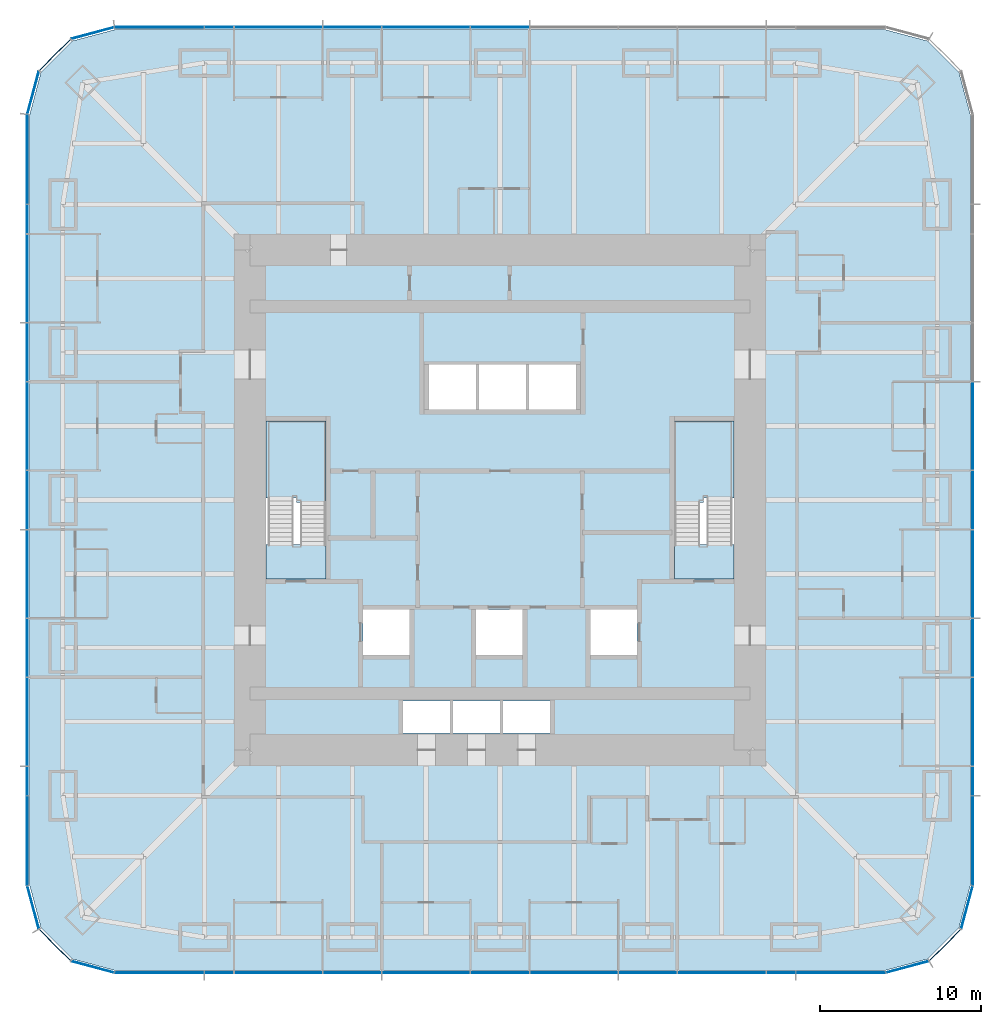
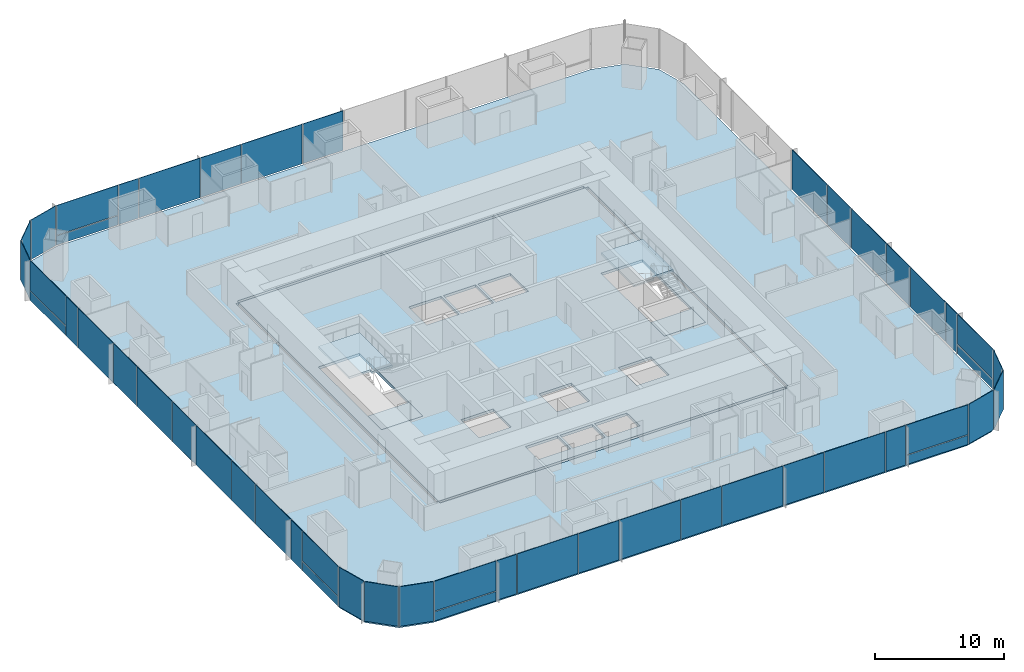
# One storey, part 7 of 13: 50 plates, 6 slabs, 9 elements without a shape of their own.
"""IFC4 building model written with IfcOpenShell, lengths in metres."""

from ifc_helpers import new_model, si_unit, direction, frame, origin, origin_2d, place, context, subcontext, project, spatial, polyline, rectangle, outline, extrude, material, layer, layer_set, type_object, element, aggregate, save


model = new_model("IFC4")

# Units and contexts
model_context = context("Model", 3, precision=1e-05, world=origin(), true_north=direction((0.0, 1.0)))
body_context = subcontext(model_context, "Body", "Model", "MODEL_VIEW")
ifc_project = project(units=[si_unit("LENGTHUNIT", "METRE"), si_unit("AREAUNIT", "SQUARE_METRE"), si_unit("VOLUMEUNIT", "CUBIC_METRE"), si_unit("PLANEANGLEUNIT", "RADIAN"), si_unit("MASSUNIT", "GRAM", prefix="KILO")], contexts=[model_context])

# Site, building, storey
site_placement = place(None, origin())
site = spatial("IfcSite", under=ifc_project, at=site_placement, CompositionType="ELEMENT")
building_placement = place(site_placement, origin())
building = spatial("IfcBuilding", under=site, at=building_placement, Name="Khuree Lantern Residences", CompositionType="ELEMENT")
storey_placement = place(building_placement, frame((0.0, 0.0, 118.5)))
storey = spatial("IfcBuildingStorey", under=building, at=storey_placement, Name="L29", CompositionType="ELEMENT", Elevation=118.5)

# Slab
ifc_material_1 = material(Name="Concrete C35/45", Category="concrete")
ifc_layer_1 = layer(ifc_material_1, 0.25)
ifc_layer_set_1 = layer_set([ifc_layer_1], Name="CFL250 CORE FLOOR SLAB 250")
slab_type_1 = type_object("IfcSlabType", Name="CFL250 CORE FLOOR SLAB 250", PredefinedType="FLOOR", material=ifc_layer_set_1)
slab_1_placement = place(storey_placement, frame((0.0, 0.0, -0.25)))
element("IfcSlab", 1, at=slab_1_placement, inside=storey, type_object=slab_type_1, Name="Core floor L29", PredefinedType="FLOOR", context=body_context, shape_type="SweptSolid", body=[
    extrude(outline(polyline([(-15.5, -15.5), (-15.5, 15.5), (15.5, 15.5), (15.5, -15.5), (-15.5, -15.5)]), holes=[polyline([(10.800048828125, 4.89990234375), (10.800048828125, -4.89990234375), (14.5, -4.89990234375), (14.5, 4.89990234375), (10.800048828125, 4.89990234375)]), polyline([(8.5, -6.800048828125), (5.60009765625, -6.800048828125), (5.60009765625, -9.60009765625), (8.5, -9.60009765625), (8.5, -6.800048828125)]), polyline([(4.699951171875, 8.39990234375), (1.800048828125, 8.39990234375), (1.800048828125, 5.60009765625), (4.699951171875, 5.60009765625), (4.699951171875, 8.39990234375)]), polyline([(3.10009765625, -12.449951171875), (0.199951171875, -12.449951171875), (0.199951171875, -14.449951171875), (3.10009765625, -14.449951171875), (3.10009765625, -12.449951171875)]), polyline([(1.60009765625, 8.39990234375), (-1.300048828125, 8.39990234375), (-1.300048828125, 5.60009765625), (1.60009765625, 5.60009765625), (1.60009765625, 8.39990234375)]), polyline([(1.39990234375, -6.800048828125), (-1.5, -6.800048828125), (-1.5, -9.60009765625), (1.39990234375, -9.60009765625), (1.39990234375, -6.800048828125)]), polyline([(-2.89990234375, -12.449951171875), (-2.89990234375, -14.449951171875), (0.0, -14.449951171875), (0.0, -12.449951171875), (-2.89990234375, -12.449951171875)]), polyline([(-4.39990234375, 8.39990234375), (-4.39990234375, 5.60009765625), (-1.5, 5.60009765625), (-1.5, 8.39990234375), (-4.39990234375, 8.39990234375)]), polyline([(-6.0, -12.449951171875), (-6.0, -14.449951171875), (-3.10009765625, -14.449951171875), (-3.10009765625, -12.449951171875), (-6.0, -12.449951171875)]), polyline([(-8.5, -6.800048828125), (-8.5, -9.60009765625), (-5.60009765625, -9.60009765625), (-5.60009765625, -6.800048828125), (-8.5, -6.800048828125)]), polyline([(-10.800048828125, 4.89990234375), (-14.5, 4.89990234375), (-14.5, -4.89990234375), (-10.800048828125, -4.89990234375), (-10.800048828125, 4.89990234375)])]), origin(), (0.0, 0.0, 1.0), 0.25),
])

# Curtain wall, plates
ifc_material_2 = material(Name="Bronze anodised aluminium", Category="aluminium")
curtain_wall_type_1 = type_object("IfcCurtainWallType", Name="CW-T2 TOWER CORNER CURTAIN WALL", PredefinedType="USERDEFINED", material=ifc_material_2)
curtain_wall_1_placement = place(storey_placement, origin())
curtain_wall_1 = element("IfcCurtainWall", 2, at=curtain_wall_1_placement, inside=storey, type_object=curtain_wall_type_1, Name="L29 SOUTH-EAST CORNER CURTAIN WALL", ObjectType="Faceted corner curtain wall", PredefinedType="USERDEFINED")
ifc_material_3 = material(Name="Bronze tinted triple glazing", Category="glass")
ifc_layer_2 = layer(ifc_material_3, 0.048095703125)
ifc_layer_set_2 = layer_set([ifc_layer_2], Name="FACET PANEL P4")
plate_type_1 = type_object("IfcPlateType", Name="FACET PANEL P4", PredefinedType="CURTAIN_PANEL", material=ifc_layer_set_2)
plate_1_placement = place(storey_placement, frame((25.248046875, -28.938720703125, 0.0), z_axis=(0.0, 0.0, 1.0), x_axis=(0.965925810153, 0.258819105321, 0.0)))
plate_1 = element("IfcPlate", 3, at=plate_1_placement, type_object=plate_type_1, Name="L29 SOUTH-EAST CORNER PANEL 1.1", PredefinedType="CURTAIN_PANEL", context=body_context, shape_type="SweptSolid", body=[
    extrude(rectangle(XDim=2.71923828125, YDim=0.048095703125, at=origin_2d()), origin(), (0.0, 0.0, 1.0), 3.75),
])
plate_2_placement = place(storey_placement, frame((27.58837890625, -27.58837890625, 0.0), z_axis=(0.0, 0.0, 1.0), x_axis=(0.707106781187, 0.707106781187, 0.0)))
plate_2 = element("IfcPlate", 4, at=plate_2_placement, type_object=plate_type_1, Name="L29 SOUTH-EAST CORNER PANEL 2.1", PredefinedType="CURTAIN_PANEL", context=body_context, shape_type="SweptSolid", body=[
    extrude(rectangle(XDim=2.715087890625, YDim=0.048095703125, at=origin_2d()), origin(), (0.0, 0.0, 1.0), 3.75),
])
plate_3_placement = place(storey_placement, frame((28.938720703125, -25.248046875, 0.0), z_axis=(0.0, 0.0, 1.0), x_axis=(0.258819105321, 0.965925810153, 0.0)))
plate_3 = element("IfcPlate", 5, at=plate_3_placement, type_object=plate_type_1, Name="L29 SOUTH-EAST CORNER PANEL 3.1", PredefinedType="CURTAIN_PANEL", context=body_context, shape_type="SweptSolid", body=[
    extrude(rectangle(XDim=2.71923828125, YDim=0.048095703125, at=origin_2d()), origin(), (0.0, 0.0, 1.0), 3.75),
])
aggregate(curtain_wall_1, [plate_1, plate_2, plate_3])

curtain_wall_2_placement = place(storey_placement, origin())
curtain_wall_2 = element("IfcCurtainWall", 6, at=curtain_wall_2_placement, inside=storey, type_object=curtain_wall_type_1, Name="L29 NORTH-WEST CORNER CURTAIN WALL", ObjectType="Faceted corner curtain wall", PredefinedType="USERDEFINED")
plate_4_placement = place(storey_placement, frame((-25.248046875, 28.938720703125, 0.0), z_axis=(0.0, 0.0, 1.0), x_axis=(-0.965925810153, -0.258819105321, 0.0)))
plate_4 = element("IfcPlate", 7, at=plate_4_placement, type_object=plate_type_1, Name="L29 NORTH-WEST CORNER PANEL 29.1", PredefinedType="CURTAIN_PANEL", context=body_context, shape_type="SweptSolid", body=[
    extrude(rectangle(XDim=2.71923828125, YDim=0.048095703125, at=origin_2d()), origin(), (0.0, 0.0, 1.0), 3.75),
])
plate_5_placement = place(storey_placement, frame((-27.58837890625, 27.58837890625, 0.0), z_axis=(0.0, 0.0, 1.0), x_axis=(-0.707106781187, -0.707106781187, 0.0)))
plate_5 = element("IfcPlate", 8, at=plate_5_placement, type_object=plate_type_1, Name="L29 NORTH-WEST CORNER PANEL 30.1", PredefinedType="CURTAIN_PANEL", context=body_context, shape_type="SweptSolid", body=[
    extrude(rectangle(XDim=2.715087890625, YDim=0.048095703125, at=origin_2d()), origin(), (0.0, 0.0, 1.0), 3.75),
])
plate_6_placement = place(storey_placement, frame((-28.938720703125, 25.248046875, 0.0), z_axis=(0.0, 0.0, 1.0), x_axis=(-0.258819105321, -0.965925810153, 0.0)))
plate_6 = element("IfcPlate", 9, at=plate_6_placement, type_object=plate_type_1, Name="L29 NORTH-WEST CORNER PANEL 31.1", PredefinedType="CURTAIN_PANEL", context=body_context, shape_type="SweptSolid", body=[
    extrude(rectangle(XDim=2.71923828125, YDim=0.048095703125, at=origin_2d()), origin(), (0.0, 0.0, 1.0), 3.75),
])
aggregate(curtain_wall_2, [plate_4, plate_5, plate_6])

curtain_wall_3_placement = place(storey_placement, origin())
curtain_wall_3 = element("IfcCurtainWall", 10, at=curtain_wall_3_placement, inside=storey, type_object=curtain_wall_type_1, Name="L29 SOUTH-WEST CORNER CURTAIN WALL", ObjectType="Faceted corner curtain wall", PredefinedType="USERDEFINED")
plate_7_placement = place(storey_placement, frame((-28.938720703125, -25.248046875, 0.0), z_axis=(0.0, 0.0, 1.0), x_axis=(0.258819105321, -0.965925810153, 0.0)))
plate_7 = element("IfcPlate", 11, at=plate_7_placement, type_object=plate_type_1, Name="L29 SOUTH-WEST CORNER PANEL 43.1", PredefinedType="CURTAIN_PANEL", context=body_context, shape_type="SweptSolid", body=[
    extrude(rectangle(XDim=2.71923828125, YDim=0.048095703125, at=origin_2d()), origin(), (0.0, 0.0, 1.0), 3.75),
])
plate_8_placement = place(storey_placement, frame((-27.58837890625, -27.58837890625, 0.0), z_axis=(0.0, 0.0, 1.0), x_axis=(0.707106781187, -0.707106781187, 0.0)))
plate_8 = element("IfcPlate", 12, at=plate_8_placement, type_object=plate_type_1, Name="L29 SOUTH-WEST CORNER PANEL 44.1", PredefinedType="CURTAIN_PANEL", context=body_context, shape_type="SweptSolid", body=[
    extrude(rectangle(XDim=2.715087890625, YDim=0.048095703125, at=origin_2d()), origin(), (0.0, 0.0, 1.0), 3.75),
])
plate_9_placement = place(storey_placement, frame((-25.248046875, -28.938720703125, 0.0), z_axis=(0.0, 0.0, 1.0), x_axis=(0.965925810153, -0.258819105321, 0.0)))
plate_9 = element("IfcPlate", 13, at=plate_9_placement, type_object=plate_type_1, Name="L29 SOUTH-WEST CORNER PANEL 45.1", PredefinedType="CURTAIN_PANEL", context=body_context, shape_type="SweptSolid", body=[
    extrude(rectangle(XDim=2.71923828125, YDim=0.048095703125, at=origin_2d()), origin(), (0.0, 0.0, 1.0), 3.75),
])
aggregate(curtain_wall_3, [plate_7, plate_8, plate_9])

curtain_wall_type_2 = type_object("IfcCurtainWallType", Name="CW-T1 TOWER FACE CURTAIN WALL", PredefinedType="USERDEFINED", material=ifc_material_2)
curtain_wall_4_placement = place(storey_placement, origin())
curtain_wall_4 = element("IfcCurtainWall", 14, at=curtain_wall_4_placement, inside=storey, type_object=curtain_wall_type_2, Name="L29 EAST FACE CURTAIN WALL", ObjectType="Stick-built curtain wall", PredefinedType="USERDEFINED")
ifc_material_4 = material(Name="Bronze tinted triple glazing with a ceramic-fritted spandrel band", Category="glass")
ifc_layer_3 = layer(ifc_material_4, 0.048095703125)
ifc_layer_set_3 = layer_set([ifc_layer_3], Name="FIXED LIGHT PANEL P11")
plate_type_2 = type_object("IfcPlateType", Name="FIXED LIGHT PANEL P11", PredefinedType="CURTAIN_PANEL", material=ifc_layer_set_3)
plate_10_placement = place(storey_placement, frame((29.300048828125, -13.739990234375, 0.0), z_axis=(0.0, 0.0, 1.0), x_axis=(0.0, 1.0, 0.0)))
plate_10 = element("IfcPlate", 15, at=plate_10_placement, type_object=plate_type_2, Name="L29 EAST FACE PANEL 6.1", PredefinedType="CURTAIN_PANEL", context=body_context, shape_type="SweptSolid", body=[
    extrude(rectangle(XDim=5.430908203125, YDim=0.048095703125, at=origin_2d()), origin(), (0.0, 0.0, 1.0), 3.75),
])
plate_11_placement = place(storey_placement, frame((29.300048828125, -4.580078125, 0.0), z_axis=(0.0, 0.0, 1.0), x_axis=(0.0, 1.0, 0.0)))
plate_11 = element("IfcPlate", 16, at=plate_11_placement, type_object=plate_type_2, Name="L29 EAST FACE PANEL 8.1", PredefinedType="CURTAIN_PANEL", context=body_context, shape_type="SweptSolid", body=[
    extrude(rectangle(XDim=5.430908203125, YDim=0.048095703125, at=origin_2d()), origin(), (0.0, 0.0, 1.0), 3.75),
])
plate_12_placement = place(storey_placement, frame((29.300048828125, 4.580078125, 0.0), z_axis=(0.0, 0.0, 1.0), x_axis=(0.0, 1.0, 0.0)))
plate_12 = element("IfcPlate", 17, at=plate_12_placement, type_object=plate_type_2, Name="L29 EAST FACE PANEL 10.1", PredefinedType="CURTAIN_PANEL", context=body_context, shape_type="SweptSolid", body=[
    extrude(rectangle(XDim=5.430908203125, YDim=0.048095703125, at=origin_2d()), origin(), (0.0, 0.0, 1.0), 3.75),
])

curtain_wall_5_placement = place(storey_placement, origin())
curtain_wall_5 = element("IfcCurtainWall", 18, at=curtain_wall_5_placement, inside=storey, type_object=curtain_wall_type_2, Name="L29 NORTH FACE CURTAIN WALL", ObjectType="Stick-built curtain wall", PredefinedType="USERDEFINED")
plate_13_placement = place(storey_placement, frame((-4.580078125, 29.300048828125, 0.0), z_axis=(0.0, 0.0, 1.0), x_axis=(-1.0, 0.0, 0.0)))
plate_13 = element("IfcPlate", 19, at=plate_13_placement, type_object=plate_type_2, Name="L29 NORTH FACE PANEL 24.1", PredefinedType="CURTAIN_PANEL", context=body_context, shape_type="SweptSolid", body=[
    extrude(rectangle(XDim=5.430908203125, YDim=0.048095703125, at=origin_2d()), origin(), (0.0, 0.0, 1.0), 3.75),
])
plate_14_placement = place(storey_placement, frame((-13.739990234375, 29.300048828125, 0.0), z_axis=(0.0, 0.0, 1.0), x_axis=(-1.0, 0.0, 0.0)))
plate_14 = element("IfcPlate", 20, at=plate_14_placement, type_object=plate_type_2, Name="L29 NORTH FACE PANEL 26.1", PredefinedType="CURTAIN_PANEL", context=body_context, shape_type="SweptSolid", body=[
    extrude(rectangle(XDim=5.430908203125, YDim=0.048095703125, at=origin_2d()), origin(), (0.0, 0.0, 1.0), 3.75),
])

curtain_wall_6_placement = place(storey_placement, origin())
curtain_wall_6 = element("IfcCurtainWall", 21, at=curtain_wall_6_placement, inside=storey, type_object=curtain_wall_type_2, Name="L29 WEST FACE CURTAIN WALL", ObjectType="Stick-built curtain wall", PredefinedType="USERDEFINED")
plate_15_placement = place(storey_placement, frame((-29.300048828125, 13.739990234375, 0.0), z_axis=(0.0, 0.0, 1.0), x_axis=(0.0, -1.0, 0.0)))
plate_15 = element("IfcPlate", 22, at=plate_15_placement, type_object=plate_type_2, Name="L29 WEST FACE PANEL 34.1", PredefinedType="CURTAIN_PANEL", context=body_context, shape_type="SweptSolid", body=[
    extrude(rectangle(XDim=5.430908203125, YDim=0.048095703125, at=origin_2d()), origin(), (0.0, 0.0, 1.0), 3.75),
])
plate_16_placement = place(storey_placement, frame((-29.300048828125, 4.580078125, 0.0), z_axis=(0.0, 0.0, 1.0), x_axis=(0.0, -1.0, 0.0)))
plate_16 = element("IfcPlate", 23, at=plate_16_placement, type_object=plate_type_2, Name="L29 WEST FACE PANEL 36.1", PredefinedType="CURTAIN_PANEL", context=body_context, shape_type="SweptSolid", body=[
    extrude(rectangle(XDim=5.430908203125, YDim=0.048095703125, at=origin_2d()), origin(), (0.0, 0.0, 1.0), 3.75),
])
plate_17_placement = place(storey_placement, frame((-29.300048828125, -4.580078125, 0.0), z_axis=(0.0, 0.0, 1.0), x_axis=(0.0, -1.0, 0.0)))
plate_17 = element("IfcPlate", 24, at=plate_17_placement, type_object=plate_type_2, Name="L29 WEST FACE PANEL 38.1", PredefinedType="CURTAIN_PANEL", context=body_context, shape_type="SweptSolid", body=[
    extrude(rectangle(XDim=5.430908203125, YDim=0.048095703125, at=origin_2d()), origin(), (0.0, 0.0, 1.0), 3.75),
])
plate_18_placement = place(storey_placement, frame((-29.300048828125, -13.739990234375, 0.0), z_axis=(0.0, 0.0, 1.0), x_axis=(0.0, -1.0, 0.0)))
plate_18 = element("IfcPlate", 25, at=plate_18_placement, type_object=plate_type_2, Name="L29 WEST FACE PANEL 40.1", PredefinedType="CURTAIN_PANEL", context=body_context, shape_type="SweptSolid", body=[
    extrude(rectangle(XDim=5.430908203125, YDim=0.048095703125, at=origin_2d()), origin(), (0.0, 0.0, 1.0), 3.75),
])

curtain_wall_7_placement = place(storey_placement, origin())
curtain_wall_7 = element("IfcCurtainWall", 26, at=curtain_wall_7_placement, inside=storey, type_object=curtain_wall_type_2, Name="L29 SOUTH FACE CURTAIN WALL", ObjectType="Stick-built curtain wall", PredefinedType="USERDEFINED")
plate_19_placement = place(storey_placement, frame((-13.739990234375, -29.300048828125, 0.0), z_axis=(0.0, 0.0, 1.0), x_axis=(1.0, 0.0, 0.0)))
plate_19 = element("IfcPlate", 27, at=plate_19_placement, type_object=plate_type_2, Name="L29 SOUTH FACE PANEL 48.1", PredefinedType="CURTAIN_PANEL", context=body_context, shape_type="SweptSolid", body=[
    extrude(rectangle(XDim=5.430908203125, YDim=0.048095703125, at=origin_2d()), origin(), (0.0, 0.0, 1.0), 3.75),
])
plate_20_placement = place(storey_placement, frame((-4.580078125, -29.300048828125, 0.0), z_axis=(0.0, 0.0, 1.0), x_axis=(1.0, 0.0, 0.0)))
plate_20 = element("IfcPlate", 28, at=plate_20_placement, type_object=plate_type_2, Name="L29 SOUTH FACE PANEL 50.1", PredefinedType="CURTAIN_PANEL", context=body_context, shape_type="SweptSolid", body=[
    extrude(rectangle(XDim=5.430908203125, YDim=0.048095703125, at=origin_2d()), origin(), (0.0, 0.0, 1.0), 3.75),
])
plate_21_placement = place(storey_placement, frame((4.580078125, -29.300048828125, 0.0), z_axis=(0.0, 0.0, 1.0), x_axis=(1.0, 0.0, 0.0)))
plate_21 = element("IfcPlate", 29, at=plate_21_placement, type_object=plate_type_2, Name="L29 SOUTH FACE PANEL 52.1", PredefinedType="CURTAIN_PANEL", context=body_context, shape_type="SweptSolid", body=[
    extrude(rectangle(XDim=5.430908203125, YDim=0.048095703125, at=origin_2d()), origin(), (0.0, 0.0, 1.0), 3.75),
])
plate_22_placement = place(storey_placement, frame((13.739990234375, -29.300048828125, 0.0), z_axis=(0.0, 0.0, 1.0), x_axis=(1.0, 0.0, 0.0)))
plate_22 = element("IfcPlate", 30, at=plate_22_placement, type_object=plate_type_2, Name="L29 SOUTH FACE PANEL 54.1", PredefinedType="CURTAIN_PANEL", context=body_context, shape_type="SweptSolid", body=[
    extrude(rectangle(XDim=5.430908203125, YDim=0.048095703125, at=origin_2d()), origin(), (0.0, 0.0, 1.0), 3.75),
])

# Slab
ifc_layer_4 = layer(ifc_material_1, 0.25)
ifc_layer_set_4 = layer_set([ifc_layer_4], Name="FS250 FLOOR SLAB 250")
slab_type_2 = type_object("IfcSlabType", Name="FS250 FLOOR SLAB 250", PredefinedType="FLOOR", material=ifc_layer_set_4)
slab_2_placement = place(storey_placement, frame((0.0, 0.0, -0.25)))
element("IfcSlab", 31, at=slab_2_placement, inside=storey, type_object=slab_type_2, Name="Floor slab L29", PredefinedType="FLOOR", context=body_context, shape_type="SweptSolid", body=[
    extrude(outline(polyline([(-26.52490234375, -28.446533203125), (-28.446533203125, -26.52490234375), (-29.14990234375, -23.89990234375), (-29.14990234375, 23.89990234375), (-28.446533203125, 26.52490234375), (-26.52490234375, 28.446533203125), (-23.89990234375, 29.14990234375), (23.89990234375, 29.14990234375), (26.52490234375, 28.446533203125), (28.446533203125, 26.52490234375), (29.14990234375, 23.89990234375), (29.14990234375, -23.89990234375), (28.446533203125, -26.52490234375), (26.52490234375, -28.446533203125), (23.89990234375, -29.14990234375), (-23.89990234375, -29.14990234375), (-26.52490234375, -28.446533203125)]), holes=[polyline([(15.75, 15.5), (15.5, 15.5), (15.5, 15.75), (-15.5, 15.75), (-15.5, 15.5), (-15.75, 15.5), (-15.75, -15.5), (-15.5, -15.5), (-15.5, -15.75), (15.5, -15.75), (15.5, -15.5), (15.75, -15.5), (15.75, 15.5)])]), origin(), (0.0, 0.0, 1.0), 0.25),
])

# Plate
ifc_material_5 = material(Name="Bronze tinted triple glazing, two aluminium-framed sashes in one frame", Category="aluminium")
ifc_layer_5 = layer(ifc_material_5, 0.048095703125)
ifc_layer_set_5 = layer_set([ifc_layer_5], Name="SASH PAIR PANEL P12")
plate_type_3 = type_object("IfcPlateType", Name="SASH PAIR PANEL P12", PredefinedType="CURTAIN_PANEL", material=ifc_layer_set_5)
plate_23_placement = place(storey_placement, frame((29.300048828125, -9.159912109375, 0.0), z_axis=(0.0, 0.0, 1.0), x_axis=(0.0, 1.0, 0.0)))
plate_23 = element("IfcPlate", 32, at=plate_23_placement, type_object=plate_type_3, Name="L29 EAST FACE PANEL 7.1", PredefinedType="CURTAIN_PANEL", context=body_context, shape_type="SweptSolid", body=[
    extrude(rectangle(XDim=3.59912109375, YDim=0.048095703125, at=origin_2d()), origin(), (0.0, 0.0, 1.0), 3.75),
])

plate_24_placement = place(storey_placement, frame((29.300048828125, 0.0, 0.0), z_axis=(0.0, 0.0, 1.0), x_axis=(0.0, 1.0, 0.0)))
plate_24 = element("IfcPlate", 33, at=plate_24_placement, type_object=plate_type_3, Name="L29 EAST FACE PANEL 9.1", PredefinedType="CURTAIN_PANEL", context=body_context, shape_type="SweptSolid", body=[
    extrude(rectangle(XDim=3.59912109375, YDim=0.048095703125, at=origin_2d()), origin(), (0.0, 0.0, 1.0), 3.75),
])

plate_25_placement = place(storey_placement, frame((0.0, 29.300048828125, 0.0), z_axis=(0.0, 0.0, 1.0), x_axis=(-1.0, 0.0, 0.0)))
plate_25 = element("IfcPlate", 34, at=plate_25_placement, type_object=plate_type_3, Name="L29 NORTH FACE PANEL 23.1", PredefinedType="CURTAIN_PANEL", context=body_context, shape_type="SweptSolid", body=[
    extrude(rectangle(XDim=3.59912109375, YDim=0.048095703125, at=origin_2d()), origin(), (0.0, 0.0, 1.0), 3.75),
])

plate_26_placement = place(storey_placement, frame((-9.159912109375, 29.300048828125, 0.0), z_axis=(0.0, 0.0, 1.0), x_axis=(-1.0, 0.0, 0.0)))
plate_26 = element("IfcPlate", 35, at=plate_26_placement, type_object=plate_type_3, Name="L29 NORTH FACE PANEL 25.1", PredefinedType="CURTAIN_PANEL", context=body_context, shape_type="SweptSolid", body=[
    extrude(rectangle(XDim=3.59912109375, YDim=0.048095703125, at=origin_2d()), origin(), (0.0, 0.0, 1.0), 3.75),
])

plate_27_placement = place(storey_placement, frame((-29.300048828125, 9.159912109375, 0.0), z_axis=(0.0, 0.0, 1.0), x_axis=(0.0, -1.0, 0.0)))
plate_27 = element("IfcPlate", 36, at=plate_27_placement, type_object=plate_type_3, Name="L29 WEST FACE PANEL 35.1", PredefinedType="CURTAIN_PANEL", context=body_context, shape_type="SweptSolid", body=[
    extrude(rectangle(XDim=3.59912109375, YDim=0.048095703125, at=origin_2d()), origin(), (0.0, 0.0, 1.0), 3.75),
])

plate_28_placement = place(storey_placement, frame((-29.300048828125, 0.0, 0.0), z_axis=(0.0, 0.0, 1.0), x_axis=(0.0, -1.0, 0.0)))
plate_28 = element("IfcPlate", 37, at=plate_28_placement, type_object=plate_type_3, Name="L29 WEST FACE PANEL 37.1", PredefinedType="CURTAIN_PANEL", context=body_context, shape_type="SweptSolid", body=[
    extrude(rectangle(XDim=3.59912109375, YDim=0.048095703125, at=origin_2d()), origin(), (0.0, 0.0, 1.0), 3.75),
])

plate_29_placement = place(storey_placement, frame((-29.300048828125, -9.159912109375, 0.0), z_axis=(0.0, 0.0, 1.0), x_axis=(0.0, -1.0, 0.0)))
plate_29 = element("IfcPlate", 38, at=plate_29_placement, type_object=plate_type_3, Name="L29 WEST FACE PANEL 39.1", PredefinedType="CURTAIN_PANEL", context=body_context, shape_type="SweptSolid", body=[
    extrude(rectangle(XDim=3.59912109375, YDim=0.048095703125, at=origin_2d()), origin(), (0.0, 0.0, 1.0), 3.75),
])

plate_30_placement = place(storey_placement, frame((-9.159912109375, -29.300048828125, 0.0), z_axis=(0.0, 0.0, 1.0), x_axis=(1.0, 0.0, 0.0)))
plate_30 = element("IfcPlate", 39, at=plate_30_placement, type_object=plate_type_3, Name="L29 SOUTH FACE PANEL 49.1", PredefinedType="CURTAIN_PANEL", context=body_context, shape_type="SweptSolid", body=[
    extrude(rectangle(XDim=3.59912109375, YDim=0.048095703125, at=origin_2d()), origin(), (0.0, 0.0, 1.0), 3.75),
])

plate_31_placement = place(storey_placement, frame((0.0, -29.300048828125, 0.0), z_axis=(0.0, 0.0, 1.0), x_axis=(1.0, 0.0, 0.0)))
plate_31 = element("IfcPlate", 40, at=plate_31_placement, type_object=plate_type_3, Name="L29 SOUTH FACE PANEL 51.1", PredefinedType="CURTAIN_PANEL", context=body_context, shape_type="SweptSolid", body=[
    extrude(rectangle(XDim=3.59912109375, YDim=0.048095703125, at=origin_2d()), origin(), (0.0, 0.0, 1.0), 3.75),
])

plate_32_placement = place(storey_placement, frame((9.159912109375, -29.300048828125, 0.0), z_axis=(0.0, 0.0, 1.0), x_axis=(1.0, 0.0, 0.0)))
plate_32 = element("IfcPlate", 41, at=plate_32_placement, type_object=plate_type_3, Name="L29 SOUTH FACE PANEL 53.1", PredefinedType="CURTAIN_PANEL", context=body_context, shape_type="SweptSolid", body=[
    extrude(rectangle(XDim=3.59912109375, YDim=0.048095703125, at=origin_2d()), origin(), (0.0, 0.0, 1.0), 3.75),
])

ifc_material_6 = material(Name="Bronze tinted triple glazing, aluminium-framed sash", Category="aluminium")
ifc_layer_6 = layer(ifc_material_6, 0.048095703125)
ifc_layer_set_6 = layer_set([ifc_layer_6], Name="SASH PANEL P3")
plate_type_4 = type_object("IfcPlateType", Name="SASH PANEL P3", PredefinedType="CURTAIN_PANEL", material=ifc_layer_set_6)
plate_33_placement = place(storey_placement, frame((29.300048828125, -17.404052734375, 0.0), z_axis=(0.0, 0.0, 1.0), x_axis=(0.0, 1.0, 0.0)))
plate_33 = element("IfcPlate", 42, at=plate_33_placement, type_object=plate_type_4, Name="L29 EAST FACE PANEL 5.1", PredefinedType="CURTAIN_PANEL", context=body_context, shape_type="SweptSolid", body=[
    extrude(rectangle(XDim=1.76708984375, YDim=0.048095703125, at=origin_2d()), origin(), (0.0, 0.0, 1.0), 3.75),
])

plate_34_placement = place(storey_placement, frame((-17.404052734375, 29.300048828125, 0.0), z_axis=(0.0, 0.0, 1.0), x_axis=(-1.0, 0.0, 0.0)))
plate_34 = element("IfcPlate", 43, at=plate_34_placement, type_object=plate_type_4, Name="L29 NORTH FACE PANEL 27.1", PredefinedType="CURTAIN_PANEL", context=body_context, shape_type="SweptSolid", body=[
    extrude(rectangle(XDim=1.76708984375, YDim=0.048095703125, at=origin_2d()), origin(), (0.0, 0.0, 1.0), 3.75),
])

plate_35_placement = place(storey_placement, frame((-29.300048828125, 17.404052734375, 0.0), z_axis=(0.0, 0.0, 1.0), x_axis=(0.0, -1.0, 0.0)))
plate_35 = element("IfcPlate", 44, at=plate_35_placement, type_object=plate_type_4, Name="L29 WEST FACE PANEL 33.1", PredefinedType="CURTAIN_PANEL", context=body_context, shape_type="SweptSolid", body=[
    extrude(rectangle(XDim=1.76708984375, YDim=0.048095703125, at=origin_2d()), origin(), (0.0, 0.0, 1.0), 3.75),
])

plate_36_placement = place(storey_placement, frame((-29.300048828125, -17.404052734375, 0.0), z_axis=(0.0, 0.0, 1.0), x_axis=(0.0, -1.0, 0.0)))
plate_36 = element("IfcPlate", 45, at=plate_36_placement, type_object=plate_type_4, Name="L29 WEST FACE PANEL 41.1", PredefinedType="CURTAIN_PANEL", context=body_context, shape_type="SweptSolid", body=[
    extrude(rectangle(XDim=1.76708984375, YDim=0.048095703125, at=origin_2d()), origin(), (0.0, 0.0, 1.0), 3.75),
])

plate_37_placement = place(storey_placement, frame((-17.404052734375, -29.300048828125, 0.0), z_axis=(0.0, 0.0, 1.0), x_axis=(1.0, 0.0, 0.0)))
plate_37 = element("IfcPlate", 46, at=plate_37_placement, type_object=plate_type_4, Name="L29 SOUTH FACE PANEL 47.1", PredefinedType="CURTAIN_PANEL", context=body_context, shape_type="SweptSolid", body=[
    extrude(rectangle(XDim=1.76708984375, YDim=0.048095703125, at=origin_2d()), origin(), (0.0, 0.0, 1.0), 3.75),
])

plate_38_placement = place(storey_placement, frame((17.404052734375, -29.300048828125, 0.0), z_axis=(0.0, 0.0, 1.0), x_axis=(1.0, 0.0, 0.0)))
plate_38 = element("IfcPlate", 47, at=plate_38_placement, type_object=plate_type_4, Name="L29 SOUTH FACE PANEL 55.1", PredefinedType="CURTAIN_PANEL", context=body_context, shape_type="SweptSolid", body=[
    extrude(rectangle(XDim=1.76708984375, YDim=0.048095703125, at=origin_2d()), origin(), (0.0, 0.0, 1.0), 3.75),
])

ifc_material_7 = material(Name="Bronze anodised aluminium insulated spandrel", Category="aluminium")
ifc_layer_7 = layer(ifc_material_7, 0.06005859375)
ifc_layer_set_7 = layer_set([ifc_layer_7], Name="SPANDREL PANEL P2")
plate_type_5 = type_object("IfcPlateType", Name="SPANDREL PANEL P2", PredefinedType="CURTAIN_PANEL", material=ifc_layer_set_7)
plate_39_placement = place(storey_placement, frame((29.300048828125, -21.10791015625, 0.0), z_axis=(0.0, 0.0, 1.0), x_axis=(0.0, 1.0, 0.0)))
plate_39 = element("IfcPlate", 48, at=plate_39_placement, type_object=plate_type_5, Name="L29 EAST FACE PANEL 4.1", PredefinedType="CURTAIN_PANEL", context=body_context, shape_type="SweptSolid", body=[
    extrude(rectangle(XDim=5.5107421875, YDim=0.06005859375, at=origin_2d()), origin(), (0.0, 0.0, 1.0), 0.867431640625),
])

plate_40_placement = place(storey_placement, frame((-21.10791015625, 29.300048828125, 0.0), z_axis=(0.0, 0.0, 1.0), x_axis=(-1.0, 0.0, 0.0)))
plate_40 = element("IfcPlate", 49, at=plate_40_placement, type_object=plate_type_5, Name="L29 NORTH FACE PANEL 28.1", PredefinedType="CURTAIN_PANEL", context=body_context, shape_type="SweptSolid", body=[
    extrude(rectangle(XDim=5.5107421875, YDim=0.06005859375, at=origin_2d()), origin(), (0.0, 0.0, 1.0), 0.867431640625),
])

plate_41_placement = place(storey_placement, frame((-29.300048828125, 21.10791015625, 0.0), z_axis=(0.0, 0.0, 1.0), x_axis=(0.0, -1.0, 0.0)))
plate_41 = element("IfcPlate", 50, at=plate_41_placement, type_object=plate_type_5, Name="L29 WEST FACE PANEL 32.1", PredefinedType="CURTAIN_PANEL", context=body_context, shape_type="SweptSolid", body=[
    extrude(rectangle(XDim=5.5107421875, YDim=0.06005859375, at=origin_2d()), origin(), (0.0, 0.0, 1.0), 0.867431640625),
])

plate_42_placement = place(storey_placement, frame((-29.300048828125, -21.10791015625, 0.0), z_axis=(0.0, 0.0, 1.0), x_axis=(0.0, -1.0, 0.0)))
plate_42 = element("IfcPlate", 51, at=plate_42_placement, type_object=plate_type_5, Name="L29 WEST FACE PANEL 42.1", PredefinedType="CURTAIN_PANEL", context=body_context, shape_type="SweptSolid", body=[
    extrude(rectangle(XDim=5.5107421875, YDim=0.06005859375, at=origin_2d()), origin(), (0.0, 0.0, 1.0), 0.867431640625),
])

plate_43_placement = place(storey_placement, frame((-21.10791015625, -29.300048828125, 0.0), z_axis=(0.0, 0.0, 1.0), x_axis=(1.0, 0.0, 0.0)))
plate_43 = element("IfcPlate", 52, at=plate_43_placement, type_object=plate_type_5, Name="L29 SOUTH FACE PANEL 46.1", PredefinedType="CURTAIN_PANEL", context=body_context, shape_type="SweptSolid", body=[
    extrude(rectangle(XDim=5.5107421875, YDim=0.06005859375, at=origin_2d()), origin(), (0.0, 0.0, 1.0), 0.867431640625),
])

plate_44_placement = place(storey_placement, frame((21.10791015625, -29.300048828125, 0.0), z_axis=(0.0, 0.0, 1.0), x_axis=(1.0, 0.0, 0.0)))
plate_44 = element("IfcPlate", 53, at=plate_44_placement, type_object=plate_type_5, Name="L29 SOUTH FACE PANEL 56.1", PredefinedType="CURTAIN_PANEL", context=body_context, shape_type="SweptSolid", body=[
    extrude(rectangle(XDim=5.5107421875, YDim=0.06005859375, at=origin_2d()), origin(), (0.0, 0.0, 1.0), 0.867431640625),
])

# Stair, slabs
ifc_material_8 = material(Name="Concrete C40/50", Category="concrete")
stair_type = type_object("IfcStairType", Name="STAIR ST1 HALF TURN 3600", PredefinedType="HALF_TURN_STAIR", material=ifc_material_8)
stair_1_placement = place(storey_placement, origin())
stair_1 = element("IfcStair", 54, at=stair_1_placement, inside=storey, type_object=stair_type, Name="Stair ST1", PredefinedType="HALF_TURN_STAIR")
ifc_layer_8 = layer(ifc_material_8, 0.199951171875)
ifc_layer_set_8 = layer_set([ifc_layer_8], Name="STAIR LANDING SL1 200")
slab_type_3 = type_object("IfcSlabType", Name="STAIR LANDING SL1 200", PredefinedType="LANDING", material=ifc_layer_set_8)
slab_3_placement = place(storey_placement, frame((0.0, 0.0, -0.199951171875)))
slab_3 = element("IfcSlab", 55, at=slab_3_placement, type_object=slab_type_3, Name="ST1 landing 1", PredefinedType="LANDING", context=body_context, shape_type="SweptSolid", body=[
    extrude(outline(polyline([(-14.5, -4.89990234375), (-10.800048828125, -4.89990234375), (-10.800048828125, -2.760009765625), (-14.5, -2.760009765625), (-14.5, -4.89990234375)])), origin(), (0.0, 0.0, 1.0), 0.199951171875),
])
slab_4_placement = place(storey_placement, frame((0.0, 0.0, 1.756591796875)))
slab_4 = element("IfcSlab", 56, at=slab_4_placement, type_object=slab_type_3, Name="ST1 landing 2", PredefinedType="LANDING", context=body_context, shape_type="SweptSolid", body=[
    extrude(outline(polyline([(-14.5, 0.1201171875), (-14.5, 4.89990234375), (-10.800048828125, 4.89990234375), (-10.800048828125, -0.159912109375), (-12.60009765625, -0.159912109375), (-12.60009765625, 0.1201171875), (-14.5, 0.1201171875)])), origin(), (0.0, 0.0, 1.0), 0.199951171875),
])
aggregate(stair_1, [slab_3, slab_4])

stair_2_placement = place(storey_placement, origin())
stair_2 = element("IfcStair", 57, at=stair_2_placement, inside=storey, type_object=stair_type, Name="Stair ST2", PredefinedType="HALF_TURN_STAIR")
slab_5_placement = place(storey_placement, frame((0.0, 0.0, -0.199951171875)))
slab_5 = element("IfcSlab", 58, at=slab_5_placement, type_object=slab_type_3, Name="ST2 landing 1", PredefinedType="LANDING", context=body_context, shape_type="SweptSolid", body=[
    extrude(outline(polyline([(10.800048828125, -4.89990234375), (14.5, -4.89990234375), (14.5, -2.760009765625), (10.800048828125, -2.760009765625), (10.800048828125, -4.89990234375)])), origin(), (0.0, 0.0, 1.0), 0.199951171875),
])
slab_6_placement = place(storey_placement, frame((0.0, 0.0, 1.756591796875)))
slab_6 = element("IfcSlab", 59, at=slab_6_placement, type_object=slab_type_3, Name="ST2 landing 2", PredefinedType="LANDING", context=body_context, shape_type="SweptSolid", body=[
    extrude(outline(polyline([(14.5, 4.89990234375), (14.5, 0.1201171875), (12.60009765625, 0.1201171875), (12.60009765625, -0.159912109375), (10.800048828125, -0.159912109375), (10.800048828125, 4.89990234375), (14.5, 4.89990234375)])), origin(), (0.0, 0.0, 1.0), 0.199951171875),
])
aggregate(stair_2, [slab_5, slab_6])

# Plate
ifc_layer_9 = layer(ifc_material_3, 0.048095703125)
ifc_layer_set_9 = layer_set([ifc_layer_9], Name="VISION PANEL P1")
plate_type_6 = type_object("IfcPlateType", Name="VISION PANEL P1", PredefinedType="CURTAIN_PANEL", material=ifc_layer_set_9)
plate_45_placement = place(storey_placement, frame((29.300048828125, -21.1083984375, 0.9326171875), z_axis=(0.0, 0.0, 1.0), x_axis=(0.0, 1.0, 0.0)))
plate_45 = element("IfcPlate", 60, at=plate_45_placement, type_object=plate_type_6, Name="L29 EAST FACE PANEL 4.2", PredefinedType="CURTAIN_PANEL", context=body_context, shape_type="SweptSolid", body=[
    extrude(rectangle(XDim=5.511474609375, YDim=0.048095703125, at=origin_2d()), origin(), (0.0, 0.0, 1.0), 2.8173828125),
])

aggregate(curtain_wall_4, [plate_39, plate_45, plate_33, plate_10, plate_23, plate_11, plate_24, plate_12])

plate_46_placement = place(storey_placement, frame((-21.1083984375, 29.300048828125, 0.9326171875), z_axis=(0.0, 0.0, 1.0), x_axis=(-1.0, 0.0, 0.0)))
plate_46 = element("IfcPlate", 61, at=plate_46_placement, type_object=plate_type_6, Name="L29 NORTH FACE PANEL 28.2", PredefinedType="CURTAIN_PANEL", context=body_context, shape_type="SweptSolid", body=[
    extrude(rectangle(XDim=5.511474609375, YDim=0.048095703125, at=origin_2d()), origin(), (0.0, 0.0, 1.0), 2.8173828125),
])

aggregate(curtain_wall_5, [plate_25, plate_13, plate_26, plate_14, plate_34, plate_40, plate_46])

plate_47_placement = place(storey_placement, frame((-29.300048828125, 21.1083984375, 0.9326171875), z_axis=(0.0, 0.0, 1.0), x_axis=(0.0, -1.0, 0.0)))
plate_47 = element("IfcPlate", 62, at=plate_47_placement, type_object=plate_type_6, Name="L29 WEST FACE PANEL 32.2", PredefinedType="CURTAIN_PANEL", context=body_context, shape_type="SweptSolid", body=[
    extrude(rectangle(XDim=5.511474609375, YDim=0.048095703125, at=origin_2d()), origin(), (0.0, 0.0, 1.0), 2.8173828125),
])

plate_48_placement = place(storey_placement, frame((-29.300048828125, -21.1083984375, 0.9326171875), z_axis=(0.0, 0.0, 1.0), x_axis=(0.0, -1.0, 0.0)))
plate_48 = element("IfcPlate", 63, at=plate_48_placement, type_object=plate_type_6, Name="L29 WEST FACE PANEL 42.2", PredefinedType="CURTAIN_PANEL", context=body_context, shape_type="SweptSolid", body=[
    extrude(rectangle(XDim=5.511474609375, YDim=0.048095703125, at=origin_2d()), origin(), (0.0, 0.0, 1.0), 2.8173828125),
])

aggregate(curtain_wall_6, [plate_41, plate_47, plate_35, plate_15, plate_27, plate_16, plate_28, plate_17, plate_29, plate_18, plate_36, plate_42, plate_48])

plate_49_placement = place(storey_placement, frame((-21.1083984375, -29.300048828125, 0.9326171875), z_axis=(0.0, 0.0, 1.0), x_axis=(1.0, 0.0, 0.0)))
plate_49 = element("IfcPlate", 64, at=plate_49_placement, type_object=plate_type_6, Name="L29 SOUTH FACE PANEL 46.2", PredefinedType="CURTAIN_PANEL", context=body_context, shape_type="SweptSolid", body=[
    extrude(rectangle(XDim=5.511474609375, YDim=0.048095703125, at=origin_2d()), origin(), (0.0, 0.0, 1.0), 2.8173828125),
])

plate_50_placement = place(storey_placement, frame((21.1083984375, -29.300048828125, 0.9326171875), z_axis=(0.0, 0.0, 1.0), x_axis=(1.0, 0.0, 0.0)))
plate_50 = element("IfcPlate", 65, at=plate_50_placement, type_object=plate_type_6, Name="L29 SOUTH FACE PANEL 56.2", PredefinedType="CURTAIN_PANEL", context=body_context, shape_type="SweptSolid", body=[
    extrude(rectangle(XDim=5.511474609375, YDim=0.048095703125, at=origin_2d()), origin(), (0.0, 0.0, 1.0), 2.8173828125),
])

aggregate(curtain_wall_7, [plate_43, plate_49, plate_37, plate_19, plate_30, plate_20, plate_31, plate_21, plate_32, plate_22, plate_38, plate_44, plate_50])

save(model, "model.ifc")
